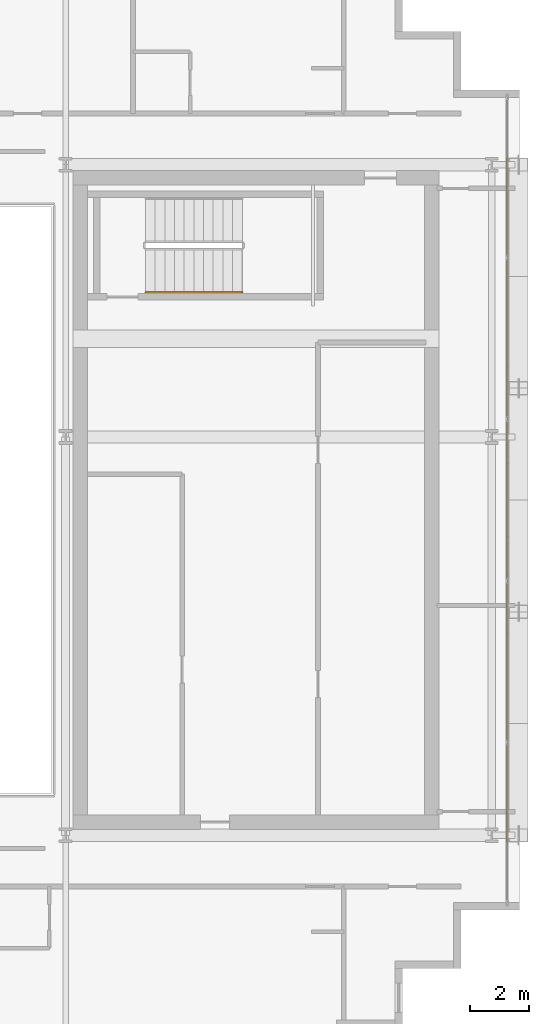
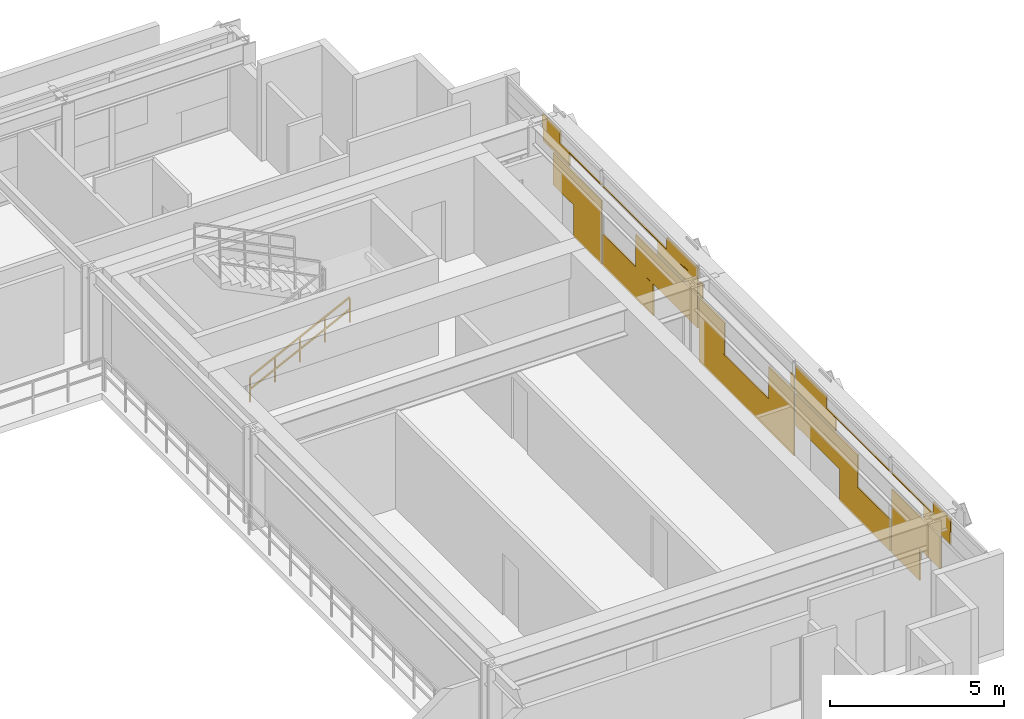
# One storey, part 33 of 34: 1 covering, 1 railing.
"""IFC4 building model written with IfcOpenShell, lengths in metres."""

from ifc_helpers import new_model, si_unit, direction, frame, origin, origin_2d, place, context, subcontext, project, spatial, rectangle, extrude, material, layer, layer_set, type_object, element, save


model = new_model("IFC4")

# Units and contexts
model_context = context("Model", 3, precision=1e-05, world=origin(), true_north=direction((0.0, 1.0)))
body_context = subcontext(model_context, "Body", "Model", "MODEL_VIEW")
ifc_project = project(units=[si_unit("LENGTHUNIT", "METRE"), si_unit("AREAUNIT", "SQUARE_METRE"), si_unit("VOLUMEUNIT", "CUBIC_METRE"), si_unit("PLANEANGLEUNIT", "RADIAN"), si_unit("MASSUNIT", "GRAM", prefix="KILO")], contexts=[model_context])

# Site, building, storey
site_placement = place(None, origin())
site = spatial("IfcSite", under=ifc_project, at=site_placement, CompositionType="ELEMENT")
building_placement = place(site_placement, origin())
building = spatial("IfcBuilding", under=site, at=building_placement, Name="Ocotamira Hotel", CompositionType="ELEMENT")
storey_placement = place(building_placement, frame((0.0, 0.0, 163.199951171875)))
storey = spatial("IfcBuildingStorey", under=building, at=storey_placement, Name="L40", CompositionType="ELEMENT", Elevation=163.199951171875)

# Covering
ifc_material_1 = material(Name="Insulated pale-metal aluminium spandrel panel", Category="aluminium")
ifc_layer = layer(ifc_material_1, 0.044921875)
ifc_layer_set = layer_set([ifc_layer], Name="Insulated pale-metal aluminium spandrel panel")
covering_type = type_object("IfcCoveringType", Name="COV-INFILL-45", PredefinedType="CLADDING", material=ifc_layer_set)
covering_placement = place(storey_placement, origin())
element("IfcCovering", 1, at=covering_placement, inside=storey, type_object=covering_type, Name="L40 Curtain Wall Infill CW-4 CW-L40-E", PredefinedType="CLADDING", context=body_context, shape_type="SweptSolid", body=[
    extrude(rectangle(XDim=2.782958984375, YDim=0.044921875, at=origin_2d()), frame((55.580078125, 16.2880859375, 1.1943359375), z_axis=(0.0, 0.0, 1.0), x_axis=(0.0, 1.0, 0.0)), (0.0, 0.0, 1.0), 1.11767578125),
    extrude(rectangle(XDim=1.596923828125, YDim=0.044921875, at=origin_2d()), frame((55.580078125, 16.881103515625, 0.07568359375), z_axis=(0.0, 0.0, 1.0), x_axis=(0.0, 1.0, 0.0)), (0.0, 0.0, 1.0), 1.117919921875),
    extrude(rectangle(XDim=3.38720703125, YDim=0.044921875, at=origin_2d()), frame((55.580078125, 15.98583984375, 2.848876953125), z_axis=(0.0, 0.0, 1.0), x_axis=(0.0, 1.0, 0.0)), (0.0, 0.0, 1.0), 0.033203125),
    extrude(rectangle(XDim=1.019287109375, YDim=0.044921875, at=origin_2d()), frame((55.580078125, 14.8017578125, 2.883056640625), z_axis=(0.0, 0.0, 1.0), x_axis=(0.0, 1.0, 0.0)), (0.0, 0.0, 1.0), 0.41162109375),
    extrude(rectangle(XDim=1.507568359375, YDim=0.044921875, at=origin_2d()), frame((55.580078125, 15.082275390625, 2.38818359375), z_axis=(0.0, 0.0, 1.0), x_axis=(0.0, 1.0, 0.0)), (0.0, 0.0, 1.0), 0.459716796875),
    extrude(rectangle(XDim=2.89013671875, YDim=0.044921875, at=origin_2d()), frame((55.580078125, 19.20556640625, 0.07568359375), z_axis=(0.0, 0.0, 1.0), x_axis=(0.0, 1.0, 0.0)), (0.0, 0.0, 1.0), 1.117919921875),
    extrude(rectangle(XDim=3.568115234375, YDim=0.044921875, at=origin_2d()), frame((55.580078125, 21.41552734375, 1.1943359375), z_axis=(0.0, 0.0, 1.0), x_axis=(0.0, 1.0, 0.0)), (0.0, 0.0, 1.0), 1.11767578125),
    extrude(rectangle(XDim=5.43896484375, YDim=0.044921875, at=origin_2d()), frame((55.580078125, 20.47998046875, 2.848876953125), z_axis=(0.0, 0.0, 1.0), x_axis=(0.0, 1.0, 0.0)), (0.0, 0.0, 1.0), 0.033203125),
    extrude(rectangle(XDim=2.302490234375, YDim=0.044921875, at=origin_2d()), frame((55.580078125, 22.04833984375, 2.38818359375), z_axis=(0.0, 0.0, 1.0), x_axis=(0.0, 1.0, 0.0)), (0.0, 0.0, 1.0), 0.459716796875),
    extrude(rectangle(XDim=1.777587890625, YDim=0.044921875, at=origin_2d()), frame((55.580078125, 22.310791015625, 2.883056640625), z_axis=(0.0, 0.0, 1.0), x_axis=(0.0, 1.0, 0.0)), (0.0, 0.0, 1.0), 0.41162109375),
    extrude(rectangle(XDim=5.43896484375, YDim=0.044921875, at=origin_2d()), frame((55.580078125, 26.0, 0.07568359375), z_axis=(0.0, 0.0, 1.0), x_axis=(0.0, 1.0, 0.0)), (0.0, 0.0, 1.0), 1.117919921875),
    extrude(rectangle(XDim=1.45458984375, YDim=0.044921875, at=origin_2d()), frame((55.580078125, 24.0078125, 1.1943359375), z_axis=(0.0, 0.0, 1.0), x_axis=(0.0, 1.0, 0.0)), (0.0, 0.0, 1.0), 1.11767578125),
    extrude(rectangle(XDim=1.45458984375, YDim=0.044921875, at=origin_2d()), frame((55.580078125, 27.9921875, 1.1943359375), z_axis=(0.0, 0.0, 1.0), x_axis=(0.0, 1.0, 0.0)), (0.0, 0.0, 1.0), 1.11767578125),
    extrude(rectangle(XDim=0.18896484375, YDim=0.044921875, at=origin_2d()), frame((55.580078125, 23.375, 2.38818359375), z_axis=(0.0, 0.0, 1.0), x_axis=(0.0, 1.0, 0.0)), (0.0, 0.0, 1.0), 0.493896484375),
    extrude(rectangle(XDim=0.18896484375, YDim=0.044921875, at=origin_2d()), frame((55.580078125, 28.625, 2.38818359375), z_axis=(0.0, 0.0, 1.0), x_axis=(0.0, 1.0, 0.0)), (0.0, 0.0, 1.0), 0.493896484375),
    extrude(rectangle(XDim=3.568115234375, YDim=0.044921875, at=origin_2d()), frame((55.580078125, 30.58447265625, 1.1943359375), z_axis=(0.0, 0.0, 1.0), x_axis=(0.0, 1.0, 0.0)), (0.0, 0.0, 1.0), 1.11767578125),
    extrude(rectangle(XDim=2.89013671875, YDim=0.044921875, at=origin_2d()), frame((55.580078125, 32.79443359375, 0.07568359375), z_axis=(0.0, 0.0, 1.0), x_axis=(0.0, 1.0, 0.0)), (0.0, 0.0, 1.0), 1.117919921875),
    extrude(rectangle(XDim=2.302490234375, YDim=0.044921875, at=origin_2d()), frame((55.580078125, 29.95166015625, 2.38818359375), z_axis=(0.0, 0.0, 1.0), x_axis=(0.0, 1.0, 0.0)), (0.0, 0.0, 1.0), 0.459716796875),
    extrude(rectangle(XDim=5.43896484375, YDim=0.044921875, at=origin_2d()), frame((55.580078125, 31.52001953125, 2.848876953125), z_axis=(0.0, 0.0, 1.0), x_axis=(0.0, 1.0, 0.0)), (0.0, 0.0, 1.0), 0.033203125),
    extrude(rectangle(XDim=1.777587890625, YDim=0.044921875, at=origin_2d()), frame((55.580078125, 29.689208984375, 2.883056640625), z_axis=(0.0, 0.0, 1.0), x_axis=(0.0, 1.0, 0.0)), (0.0, 0.0, 1.0), 0.41162109375),
    extrude(rectangle(XDim=1.596923828125, YDim=0.044921875, at=origin_2d()), frame((55.580078125, 35.118896484375, 0.07568359375), z_axis=(0.0, 0.0, 1.0), x_axis=(0.0, 1.0, 0.0)), (0.0, 0.0, 1.0), 1.117919921875),
    extrude(rectangle(XDim=2.782958984375, YDim=0.044921875, at=origin_2d()), frame((55.580078125, 35.7119140625, 1.1943359375), z_axis=(0.0, 0.0, 1.0), x_axis=(0.0, 1.0, 0.0)), (0.0, 0.0, 1.0), 1.11767578125),
    extrude(rectangle(XDim=3.38720703125, YDim=0.044921875, at=origin_2d()), frame((55.580078125, 36.01416015625, 2.848876953125), z_axis=(0.0, 0.0, 1.0), x_axis=(0.0, 1.0, 0.0)), (0.0, 0.0, 1.0), 0.033203125),
    extrude(rectangle(XDim=1.507568359375, YDim=0.044921875, at=origin_2d()), frame((55.580078125, 36.917724609375, 2.38818359375), z_axis=(0.0, 0.0, 1.0), x_axis=(0.0, 1.0, 0.0)), (0.0, 0.0, 1.0), 0.459716796875),
    extrude(rectangle(XDim=1.019287109375, YDim=0.044921875, at=origin_2d()), frame((55.580078125, 37.1982421875, 2.883056640625), z_axis=(0.0, 0.0, 1.0), x_axis=(0.0, 1.0, 0.0)), (0.0, 0.0, 1.0), 0.41162109375),
])

# Railing
ifc_material_2 = material(Name="Brushed stainless steel handrail", Category="steel")
railing_type = type_object("IfcRailingType", Name="RL-HAND-900", PredefinedType="HANDRAIL", material=ifc_material_2)
railing_placement = place(storey_placement, frame((43.22998046875, 33.10009765625, 0.327392578125)))
element("IfcRailing", 2, at=railing_placement, inside=storey, type_object=railing_type, Name="L40 ST-4 stair handrail 1", PredefinedType="HANDRAIL", context=body_context, shape_type="SweptSolid", body=[
    extrude(rectangle(XDim=0.048095703125, YDim=0.048095703125, at=origin_2d()), frame((0.0, 0.0, 0.8759765625), z_axis=(0.895920123917, 0.0, 0.444215186098), x_axis=(0.0, 1.0, 0.0)), (0.0, 0.0, 1.0), 3.683349609375),
    extrude(rectangle(XDim=0.048095703125, YDim=0.048095703125, at=origin_2d()), frame((0.0, 0.0, 0.449951171875), z_axis=(0.895920123917, 0.0, 0.444215186098), x_axis=(0.0, 1.0, 0.0)), (0.0, 0.0, 1.0), 3.683349609375),
    extrude(rectangle(XDim=0.0419921875, YDim=0.0419921875, at=origin_2d()), origin(), (0.0, 0.0, 1.0), 0.851806640625),
    extrude(rectangle(XDim=0.0419921875, YDim=0.0419921875, at=origin_2d()), frame((0.824951171875, 0.0, 0.4091796875)), (0.0, 0.0, 1.0), 0.851806640625),
    extrude(rectangle(XDim=0.0419921875, YDim=0.0419921875, at=origin_2d()), frame((1.64990234375, 0.0, 0.818115234375)), (0.0, 0.0, 1.0), 0.851806640625),
    extrude(rectangle(XDim=0.0419921875, YDim=0.0419921875, at=origin_2d()), frame((2.47509765625, 0.0, 1.22705078125)), (0.0, 0.0, 1.0), 0.851806640625),
    extrude(rectangle(XDim=0.0419921875, YDim=0.0419921875, at=origin_2d()), frame((3.300048828125, 0.0, 1.63623046875)), (0.0, 0.0, 1.0), 0.851806640625),
])

save(model, "model.ifc")
